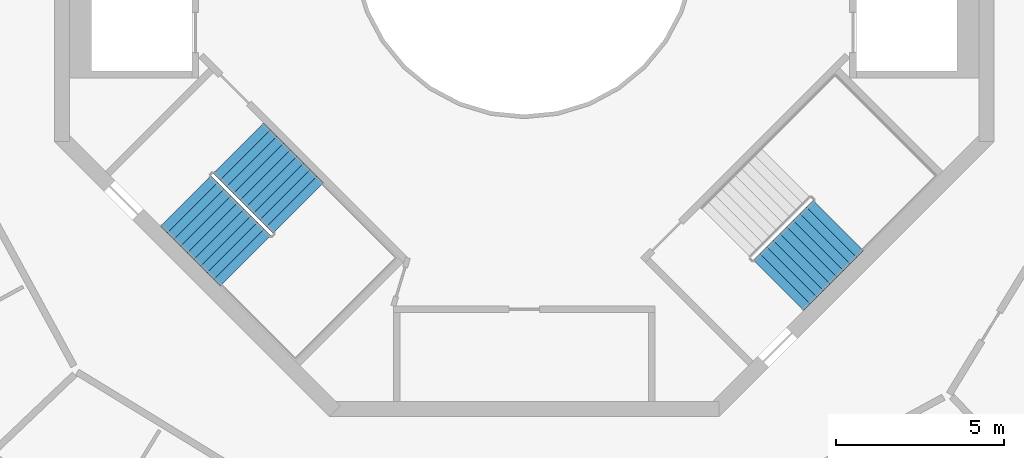
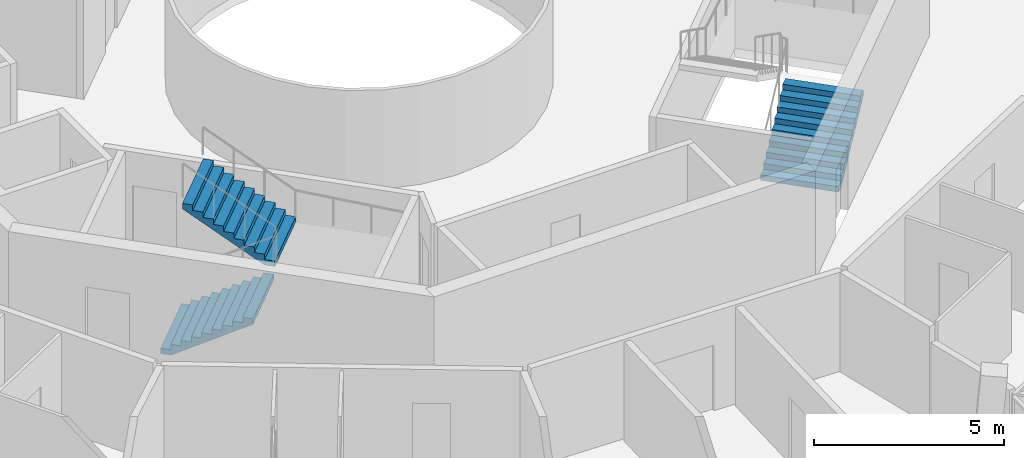
# One storey, part 22 of 24: 3 stair flights, 2 elements without a shape of their own.
"""IFC4 building model written with IfcOpenShell, lengths in metres."""

from ifc_helpers import new_model, si_unit, direction, frame, origin, place, context, subcontext, project, spatial, triangles, material, type_object, element, aggregate, save


model = new_model("IFC4")

# Units and contexts
model_context = context("Model", 3, precision=1e-05, world=origin(), true_north=direction((0.0, 1.0)))
body_context = subcontext(model_context, "Body", "Model", "MODEL_VIEW")
ifc_project = project(units=[si_unit("LENGTHUNIT", "METRE"), si_unit("AREAUNIT", "SQUARE_METRE"), si_unit("VOLUMEUNIT", "CUBIC_METRE"), si_unit("PLANEANGLEUNIT", "RADIAN"), si_unit("MASSUNIT", "GRAM", prefix="KILO")], contexts=[model_context])

# Site, building, storey
site_placement = place(None, origin())
site = spatial("IfcSite", under=ifc_project, at=site_placement, CompositionType="ELEMENT")
building_placement = place(site_placement, origin())
building = spatial("IfcBuilding", under=site, at=building_placement, Name="Verdalira Terraces Hotel", CompositionType="ELEMENT")
storey_placement = place(building_placement, frame((0.0, 0.0, 274.0)))
storey = spatial("IfcBuildingStorey", under=building, at=storey_placement, Name="L67", CompositionType="ELEMENT", Elevation=274.0)

# Stair, stair flights
ifc_material_1 = material(Name="Concrete C40", Category="concrete")
stair_type = type_object("IfcStairType", Name="Core stair 20 risers 2125 mm wide", PredefinedType="HALF_TURN_STAIR", material=ifc_material_1)
stair_1_placement = place(storey_placement, origin())
stair_1 = element("IfcStair", 1, at=stair_1_placement, inside=storey, type_object=stair_type, Name="L67 Exit stair ST2", PredefinedType="HALF_TURN_STAIR")
ifc_material_2 = material(Name="Concrete C40", Category="concrete")
stair_flight_type = type_object("IfcStairFlightType", Name="Core stair flight 20 risers 2125 mm wide", PredefinedType="STRAIGHT", material=ifc_material_2)
stair_flight_1_placement = place(storey_placement, frame((-10.085205, -7.574951, 0.0), z_axis=(0.0, 0.0, 1.0), x_axis=(0.707106781, -0.707106781, 0.0)))
stair_flight_1 = element("IfcStairFlight", 2, at=stair_flight_1_placement, type_object=stair_flight_type, Name="ST2 flight 1", NumberOfRisers=10, NumberOfTreads=9, PredefinedType="STRAIGHT", RiserHeight=0.175, TreadLength=0.28, context=body_context, shape_type="Tessellation", body=[
    triangles([(0.0, 1.0625, 0.0), (0.282715, 1.0625, 0.0), (2.52002, 1.0625, 1.398193), (0.0, -1.0625, 0.0), (0.282715, -1.0625, 0.0), (2.52002, -1.0625, 1.398193), (2.52002, 1.0625, 1.574951), (2.23999, 1.0625, 1.574951), (2.52002, -1.0625, 1.574951), (2.23999, -1.0625, 1.574951), (2.23999, 1.0625, 1.399902), (2.23999, -1.0625, 1.399902), (1.959961, 1.0625, 1.399902), (1.959961, -1.0625, 1.399902), (1.959961, 1.0625, 1.225098), (1.959961, -1.0625, 1.225098), (1.679932, 1.0625, 1.225098), (1.679932, 1.0625, 1.050049), (1.679932, -1.0625, 1.225098), (1.679932, -1.0625, 1.050049), (1.399902, 1.0625, 1.050049), (1.399902, 1.0625, 0.875), (1.399902, -1.0625, 1.050049), (1.399902, -1.0625, 0.875), (1.120117, 1.0625, 0.875), (1.120117, 1.0625, 0.699951), (1.120117, -1.0625, 0.875), (1.120117, -1.0625, 0.699951), (0.840088, 1.0625, 0.699951), (0.840088, 1.0625, 0.524902), (0.840088, -1.0625, 0.699951), (0.840088, -1.0625, 0.524902), (0.560059, 1.0625, 0.524902), (0.560059, 1.0625, 0.350098), (0.560059, -1.0625, 0.524902), (0.560059, -1.0625, 0.350098), (0.280029, 1.0625, 0.350098), (0.280029, 1.0625, 0.175049), (0.280029, -1.0625, 0.350098), (0.280029, -1.0625, 0.175049), (0.0, 1.0625, 0.175049), (0.0, -1.0625, 0.175049), (0.0, -0.996094, 0.0), (0.0, -0.996094, 0.175049), (0.0, -0.929688, 0.0), (0.0, -0.929688, 0.175049), (0.0, -0.863281, 0.0), (0.0, -0.863281, 0.175049), (0.0, -0.796875, 0.0), (0.0, -0.796875, 0.175049), (0.0, -0.730469, 0.0), (0.0, -0.730469, 0.175049), (0.0, -0.664062, 0.0), (0.0, -0.664062, 0.175049), (0.0, -0.597656, 0.0), (0.0, -0.597656, 0.175049), (0.0, -0.53125, 0.0), (0.0, -0.53125, 0.175049), (0.0, -0.464844, 0.0), (0.0, -0.464844, 0.175049), (0.0, -0.398438, 0.0), (0.0, -0.398438, 0.175049), (0.0, -0.332031, 0.0), (0.0, -0.332031, 0.175049), (0.0, -0.265625, 0.0), (0.0, -0.265625, 0.175049), (0.0, -0.199219, 0.0), (0.0, -0.199219, 0.175049), (0.0, -0.132812, 0.0), (0.0, -0.132812, 0.175049), (0.0, -0.066406, 0.0), (0.0, -0.066406, 0.175049), (0.0, 0.0, 0.0), (0.0, 0.0, 0.175049), (0.0, 0.066406, 0.0), (0.0, 0.066406, 0.175049), (0.0, 0.132812, 0.0), (0.0, 0.132812, 0.175049), (0.0, 0.199219, 0.0), (0.0, 0.199219, 0.175049), (0.0, 0.265625, 0.0), (0.0, 0.265625, 0.175049), (0.0, 0.332031, 0.0), (0.0, 0.332031, 0.175049), (0.0, 0.398438, 0.0), (0.0, 0.398438, 0.175049), (0.0, 0.464844, 0.0), (0.0, 0.464844, 0.175049), (0.0, 0.53125, 0.0), (0.0, 0.53125, 0.175049), (0.0, 0.597656, 0.0), (0.0, 0.597656, 0.175049), (0.0, 0.664062, 0.0), (0.0, 0.664062, 0.175049), (0.0, 0.730469, 0.0), (0.0, 0.730469, 0.175049), (0.0, 0.796875, 0.0), (0.0, 0.796875, 0.175049), (0.0, 0.863281, 0.0), (0.0, 0.863281, 0.175049), (0.0, 0.929688, 0.0), (0.0, 0.929688, 0.175049), (0.0, 0.996094, 0.0), (0.0, 0.996094, 0.175049), (2.52002, -0.996094, 1.574951), (2.52002, -0.929688, 1.574951), (2.52002, -0.863281, 1.574951), (2.52002, -0.796875, 1.574951), (2.52002, -0.730469, 1.574951), (2.52002, -0.664062, 1.574951), (2.52002, -0.597656, 1.574951), (2.52002, -0.53125, 1.574951), (2.52002, -0.464844, 1.574951), (2.52002, -0.398438, 1.574951), (2.52002, -0.332031, 1.574951), (2.52002, -0.265625, 1.574951), (2.52002, -0.199219, 1.574951), (2.52002, -0.132812, 1.574951), (2.52002, -0.066406, 1.574951), (2.52002, 0.0, 1.574951), (2.52002, 0.066406, 1.574951), (2.52002, 0.132812, 1.574951), (2.52002, 0.199219, 1.574951), (2.52002, 0.265625, 1.574951), (2.52002, 0.332031, 1.574951), (2.52002, 0.398438, 1.574951), (2.52002, 0.464844, 1.574951), (2.52002, 0.53125, 1.574951), (2.52002, 0.597656, 1.574951), (2.52002, 0.664062, 1.574951), (2.52002, 0.730469, 1.574951), (2.52002, 0.796875, 1.574951), (2.52002, 0.863281, 1.574951), (2.52002, 0.929688, 1.574951), (2.52002, 0.996094, 1.574951), (2.52002, -0.996094, 1.398193), (2.52002, -0.929688, 1.398193), (2.52002, -0.863281, 1.398193), (2.52002, -0.796875, 1.398193), (2.52002, -0.730469, 1.398193), (2.52002, -0.664062, 1.398193), (2.52002, -0.597656, 1.398193), (2.52002, -0.53125, 1.398193), (2.52002, -0.464844, 1.398193), (2.52002, -0.398438, 1.398193), (2.52002, -0.332031, 1.398193), (2.52002, -0.265625, 1.398193), (2.52002, -0.199219, 1.398193), (2.52002, -0.132812, 1.398193), (2.52002, -0.066406, 1.398193), (2.52002, 0.0, 1.398193), (2.52002, 0.066406, 1.398193), (2.52002, 0.132812, 1.398193), (2.52002, 0.199219, 1.398193), (2.52002, 0.265625, 1.398193), (2.52002, 0.332031, 1.398193), (2.52002, 0.398438, 1.398193), (2.52002, 0.464844, 1.398193), (2.52002, 0.53125, 1.398193), (2.52002, 0.597656, 1.398193), (2.52002, 0.664062, 1.398193), (2.52002, 0.730469, 1.398193), (2.52002, 0.796875, 1.398193), (2.52002, 0.863281, 1.398193), (2.52002, 0.929688, 1.398193), (2.52002, 0.996094, 1.398193)], [[1, 3, 2], [4, 5, 6], [3, 8, 7], [6, 9, 10], [3, 11, 8], [6, 10, 12], [3, 13, 11], [6, 12, 14], [3, 15, 13], [6, 14, 16], [15, 18, 17], [16, 19, 20], [3, 18, 15], [6, 16, 20], [18, 22, 21], [20, 23, 24], [3, 22, 18], [6, 20, 24], [22, 26, 25], [24, 27, 28], [3, 26, 22], [6, 24, 28], [26, 30, 29], [28, 31, 32], [3, 30, 26], [6, 28, 32], [1, 30, 3], [4, 6, 32], [30, 34, 33], [32, 35, 36], [34, 38, 37], [36, 39, 40], [30, 38, 34], [32, 36, 40], [1, 38, 30], [4, 32, 40], [38, 1, 41], [40, 42, 4], [4, 44, 43], [4, 42, 44], [43, 46, 45], [43, 44, 46], [45, 48, 47], [45, 46, 48], [47, 50, 49], [47, 48, 50], [49, 52, 51], [49, 50, 52], [51, 54, 53], [51, 52, 54], [53, 56, 55], [53, 54, 56], [55, 58, 57], [55, 56, 58], [57, 60, 59], [57, 58, 60], [59, 62, 61], [59, 60, 62], [61, 64, 63], [61, 62, 64], [63, 66, 65], [63, 64, 66], [65, 68, 67], [65, 66, 68], [67, 70, 69], [67, 68, 70], [69, 72, 71], [69, 70, 72], [71, 74, 73], [71, 72, 74], [73, 76, 75], [73, 74, 76], [75, 78, 77], [75, 76, 78], [77, 80, 79], [77, 78, 80], [79, 82, 81], [79, 80, 82], [81, 84, 83], [81, 82, 84], [83, 86, 85], [83, 84, 86], [85, 88, 87], [85, 86, 88], [87, 90, 89], [87, 88, 90], [89, 92, 91], [89, 90, 92], [91, 94, 93], [91, 92, 94], [93, 96, 95], [93, 94, 96], [95, 98, 97], [95, 96, 98], [97, 100, 99], [97, 98, 100], [99, 102, 101], [99, 100, 102], [101, 104, 103], [101, 102, 104], [103, 41, 1], [103, 104, 41], [42, 40, 44], [44, 40, 46], [46, 40, 48], [48, 40, 50], [50, 40, 52], [52, 40, 54], [54, 40, 56], [56, 40, 58], [58, 40, 60], [60, 40, 62], [62, 40, 64], [64, 40, 66], [66, 40, 68], [68, 40, 70], [70, 40, 72], [72, 40, 74], [74, 40, 76], [76, 40, 78], [78, 40, 80], [80, 40, 82], [82, 40, 84], [84, 40, 86], [86, 40, 88], [88, 40, 90], [90, 40, 92], [92, 40, 94], [94, 40, 96], [96, 40, 98], [98, 40, 100], [100, 40, 102], [102, 40, 104], [104, 40, 41], [41, 40, 38], [40, 37, 38], [40, 39, 37], [39, 34, 37], [39, 36, 34], [36, 33, 34], [36, 35, 33], [35, 30, 33], [35, 32, 30], [32, 29, 30], [32, 31, 29], [31, 26, 29], [31, 28, 26], [28, 25, 26], [28, 27, 25], [27, 22, 25], [27, 24, 22], [24, 21, 22], [24, 23, 21], [23, 18, 21], [23, 20, 18], [20, 17, 18], [20, 19, 17], [19, 15, 17], [19, 16, 15], [16, 13, 15], [16, 14, 13], [14, 11, 13], [14, 12, 11], [12, 8, 11], [12, 10, 8], [9, 105, 10], [105, 106, 10], [106, 107, 10], [107, 108, 10], [108, 109, 10], [109, 110, 10], [110, 111, 10], [111, 112, 10], [112, 113, 10], [113, 114, 10], [114, 115, 10], [115, 116, 10], [116, 117, 10], [117, 118, 10], [118, 119, 10], [119, 120, 10], [120, 121, 10], [121, 122, 10], [122, 123, 10], [123, 124, 10], [124, 125, 10], [125, 126, 10], [126, 127, 10], [127, 128, 10], [128, 129, 10], [129, 130, 10], [130, 131, 10], [131, 132, 10], [132, 133, 10], [133, 134, 10], [134, 135, 10], [135, 7, 10], [7, 8, 10], [9, 136, 105], [9, 6, 136], [105, 137, 106], [105, 136, 137], [106, 138, 107], [106, 137, 138], [107, 139, 108], [107, 138, 139], [108, 140, 109], [108, 139, 140], [109, 141, 110], [109, 140, 141], [110, 142, 111], [110, 141, 142], [111, 143, 112], [111, 142, 143], [112, 144, 113], [112, 143, 144], [113, 145, 114], [113, 144, 145], [114, 146, 115], [114, 145, 146], [115, 147, 116], [115, 146, 147], [116, 148, 117], [116, 147, 148], [117, 149, 118], [117, 148, 149], [118, 150, 119], [118, 149, 150], [119, 151, 120], [119, 150, 151], [120, 152, 121], [120, 151, 152], [121, 153, 122], [121, 152, 153], [122, 154, 123], [122, 153, 154], [123, 155, 124], [123, 154, 155], [124, 156, 125], [124, 155, 156], [125, 157, 126], [125, 156, 157], [126, 158, 127], [126, 157, 158], [127, 159, 128], [127, 158, 159], [128, 160, 129], [128, 159, 160], [129, 161, 130], [129, 160, 161], [130, 162, 131], [130, 161, 162], [131, 163, 132], [131, 162, 163], [132, 164, 133], [132, 163, 164], [133, 165, 134], [133, 164, 165], [134, 166, 135], [134, 165, 166], [135, 3, 7], [135, 166, 3], [6, 5, 136], [136, 5, 137], [137, 5, 138], [138, 5, 139], [139, 5, 140], [140, 5, 141], [141, 5, 142], [142, 5, 143], [143, 5, 144], [144, 5, 145], [145, 5, 146], [146, 5, 147], [147, 5, 148], [148, 5, 149], [149, 5, 150], [150, 5, 151], [151, 5, 152], [152, 5, 153], [153, 5, 154], [154, 5, 155], [155, 5, 156], [156, 5, 157], [157, 5, 158], [158, 5, 159], [159, 5, 160], [160, 5, 161], [161, 5, 162], [162, 5, 163], [163, 5, 164], [164, 5, 165], [165, 5, 166], [166, 5, 3], [3, 5, 2], [4, 43, 5], [43, 45, 5], [45, 47, 5], [47, 49, 5], [49, 51, 5], [51, 53, 5], [53, 55, 5], [55, 57, 5], [57, 59, 5], [59, 61, 5], [61, 63, 5], [63, 65, 5], [65, 67, 5], [67, 69, 5], [69, 71, 5], [71, 73, 5], [73, 75, 5], [75, 77, 5], [77, 79, 5], [79, 81, 5], [81, 83, 5], [83, 85, 5], [85, 87, 5], [87, 89, 5], [89, 91, 5], [91, 93, 5], [93, 95, 5], [95, 97, 5], [97, 99, 5], [99, 101, 5], [101, 103, 5], [103, 1, 5], [1, 2, 5]], closed=True),
])
stair_flight_2_placement = place(storey_placement, frame((-6.72998, -7.783447, 1.75), z_axis=(0.0, 0.0, 1.0), x_axis=(-0.707106781, 0.707106781, 0.0)))
stair_flight_2 = element("IfcStairFlight", 3, at=stair_flight_2_placement, type_object=stair_flight_type, Name="ST2 flight 2", NumberOfRisers=10, NumberOfTreads=9, PredefinedType="STRAIGHT", RiserHeight=0.175, TreadLength=0.28, context=body_context, shape_type="Tessellation", body=[
    triangles([(0.0, 1.0625, 0.0), (0.282715, 1.0625, 0.0), (2.52002, 1.0625, 1.398193), (0.0, -1.0625, 0.0), (0.282715, -1.0625, 0.0), (2.52002, -1.0625, 1.398193), (2.52002, 1.0625, 1.574951), (2.23999, 1.0625, 1.574951), (2.52002, -1.0625, 1.574951), (2.23999, -1.0625, 1.574951), (2.23999, 1.0625, 1.399902), (2.23999, -1.0625, 1.399902), (1.959961, 1.0625, 1.399902), (1.959961, -1.0625, 1.399902), (1.959961, 1.0625, 1.225098), (1.959961, -1.0625, 1.225098), (1.679932, 1.0625, 1.225098), (1.679932, 1.0625, 1.050049), (1.679932, -1.0625, 1.225098), (1.679932, -1.0625, 1.050049), (1.399902, 1.0625, 1.050049), (1.399902, 1.0625, 0.875), (1.399902, -1.0625, 1.050049), (1.399902, -1.0625, 0.875), (1.120117, 1.0625, 0.875), (1.120117, 1.0625, 0.699951), (1.120117, -1.0625, 0.875), (1.120117, -1.0625, 0.699951), (0.840088, 1.0625, 0.699951), (0.840088, 1.0625, 0.524902), (0.840088, -1.0625, 0.699951), (0.840088, -1.0625, 0.524902), (0.560059, 1.0625, 0.524902), (0.560059, 1.0625, 0.350098), (0.560059, -1.0625, 0.524902), (0.560059, -1.0625, 0.350098), (0.280029, 1.0625, 0.350098), (0.280029, 1.0625, 0.175049), (0.280029, -1.0625, 0.350098), (0.280029, -1.0625, 0.175049), (0.0, 1.0625, 0.175049), (0.0, -1.0625, 0.175049), (0.0, -0.996094, 0.0), (0.0, -0.996094, 0.175049), (0.0, -0.929688, 0.0), (0.0, -0.929688, 0.175049), (0.0, -0.863281, 0.0), (0.0, -0.863281, 0.175049), (0.0, -0.796875, 0.0), (0.0, -0.796875, 0.175049), (0.0, -0.730469, 0.0), (0.0, -0.730469, 0.175049), (0.0, -0.664062, 0.0), (0.0, -0.664062, 0.175049), (0.0, -0.597656, 0.0), (0.0, -0.597656, 0.175049), (0.0, -0.53125, 0.0), (0.0, -0.53125, 0.175049), (0.0, -0.464844, 0.0), (0.0, -0.464844, 0.175049), (0.0, -0.398438, 0.0), (0.0, -0.398438, 0.175049), (0.0, -0.332031, 0.0), (0.0, -0.332031, 0.175049), (0.0, -0.265625, 0.0), (0.0, -0.265625, 0.175049), (0.0, -0.199219, 0.0), (0.0, -0.199219, 0.175049), (0.0, -0.132812, 0.0), (0.0, -0.132812, 0.175049), (0.0, -0.066406, 0.0), (0.0, -0.066406, 0.175049), (0.0, 0.0, 0.0), (0.0, 0.0, 0.175049), (0.0, 0.066406, 0.0), (0.0, 0.066406, 0.175049), (0.0, 0.132812, 0.0), (0.0, 0.132812, 0.175049), (0.0, 0.199219, 0.0), (0.0, 0.199219, 0.175049), (0.0, 0.265625, 0.0), (0.0, 0.265625, 0.175049), (0.0, 0.332031, 0.0), (0.0, 0.332031, 0.175049), (0.0, 0.398438, 0.0), (0.0, 0.398438, 0.175049), (0.0, 0.464844, 0.0), (0.0, 0.464844, 0.175049), (0.0, 0.53125, 0.0), (0.0, 0.53125, 0.175049), (0.0, 0.597656, 0.0), (0.0, 0.597656, 0.175049), (0.0, 0.664062, 0.0), (0.0, 0.664062, 0.175049), (0.0, 0.730469, 0.0), (0.0, 0.730469, 0.175049), (0.0, 0.796875, 0.0), (0.0, 0.796875, 0.175049), (0.0, 0.863281, 0.0), (0.0, 0.863281, 0.175049), (0.0, 0.929688, 0.0), (0.0, 0.929688, 0.175049), (0.0, 0.996094, 0.0), (0.0, 0.996094, 0.175049), (2.52002, -0.996094, 1.574951), (2.52002, -0.929688, 1.574951), (2.52002, -0.863281, 1.574951), (2.52002, -0.796875, 1.574951), (2.52002, -0.730469, 1.574951), (2.52002, -0.664062, 1.574951), (2.52002, -0.597656, 1.574951), (2.52002, -0.53125, 1.574951), (2.52002, -0.464844, 1.574951), (2.52002, -0.398438, 1.574951), (2.52002, -0.332031, 1.574951), (2.52002, -0.265625, 1.574951), (2.52002, -0.199219, 1.574951), (2.52002, -0.132812, 1.574951), (2.52002, -0.066406, 1.574951), (2.52002, 0.0, 1.574951), (2.52002, 0.066406, 1.574951), (2.52002, 0.132812, 1.574951), (2.52002, 0.199219, 1.574951), (2.52002, 0.265625, 1.574951), (2.52002, 0.332031, 1.574951), (2.52002, 0.398438, 1.574951), (2.52002, 0.464844, 1.574951), (2.52002, 0.53125, 1.574951), (2.52002, 0.597656, 1.574951), (2.52002, 0.664062, 1.574951), (2.52002, 0.730469, 1.574951), (2.52002, 0.796875, 1.574951), (2.52002, 0.863281, 1.574951), (2.52002, 0.929688, 1.574951), (2.52002, 0.996094, 1.574951), (2.52002, -0.996094, 1.398193), (2.52002, -0.929688, 1.398193), (2.52002, -0.863281, 1.398193), (2.52002, -0.796875, 1.398193), (2.52002, -0.730469, 1.398193), (2.52002, -0.664062, 1.398193), (2.52002, -0.597656, 1.398193), (2.52002, -0.53125, 1.398193), (2.52002, -0.464844, 1.398193), (2.52002, -0.398438, 1.398193), (2.52002, -0.332031, 1.398193), (2.52002, -0.265625, 1.398193), (2.52002, -0.199219, 1.398193), (2.52002, -0.132812, 1.398193), (2.52002, -0.066406, 1.398193), (2.52002, 0.0, 1.398193), (2.52002, 0.066406, 1.398193), (2.52002, 0.132812, 1.398193), (2.52002, 0.199219, 1.398193), (2.52002, 0.265625, 1.398193), (2.52002, 0.332031, 1.398193), (2.52002, 0.398438, 1.398193), (2.52002, 0.464844, 1.398193), (2.52002, 0.53125, 1.398193), (2.52002, 0.597656, 1.398193), (2.52002, 0.664062, 1.398193), (2.52002, 0.730469, 1.398193), (2.52002, 0.796875, 1.398193), (2.52002, 0.863281, 1.398193), (2.52002, 0.929688, 1.398193), (2.52002, 0.996094, 1.398193)], [[1, 3, 2], [4, 5, 6], [3, 8, 7], [6, 9, 10], [3, 11, 8], [6, 10, 12], [3, 13, 11], [6, 12, 14], [3, 15, 13], [6, 14, 16], [15, 18, 17], [16, 19, 20], [3, 18, 15], [6, 16, 20], [18, 22, 21], [20, 23, 24], [3, 22, 18], [6, 20, 24], [22, 26, 25], [24, 27, 28], [3, 26, 22], [6, 24, 28], [26, 30, 29], [28, 31, 32], [3, 30, 26], [6, 28, 32], [1, 30, 3], [4, 6, 32], [30, 34, 33], [32, 35, 36], [34, 38, 37], [36, 39, 40], [30, 38, 34], [32, 36, 40], [1, 38, 30], [4, 32, 40], [38, 1, 41], [40, 42, 4], [4, 44, 43], [4, 42, 44], [43, 46, 45], [43, 44, 46], [45, 48, 47], [45, 46, 48], [47, 50, 49], [47, 48, 50], [49, 52, 51], [49, 50, 52], [51, 54, 53], [51, 52, 54], [53, 56, 55], [53, 54, 56], [55, 58, 57], [55, 56, 58], [57, 60, 59], [57, 58, 60], [59, 62, 61], [59, 60, 62], [61, 64, 63], [61, 62, 64], [63, 66, 65], [63, 64, 66], [65, 68, 67], [65, 66, 68], [67, 70, 69], [67, 68, 70], [69, 72, 71], [69, 70, 72], [71, 74, 73], [71, 72, 74], [73, 76, 75], [73, 74, 76], [75, 78, 77], [75, 76, 78], [77, 80, 79], [77, 78, 80], [79, 82, 81], [79, 80, 82], [81, 84, 83], [81, 82, 84], [83, 86, 85], [83, 84, 86], [85, 88, 87], [85, 86, 88], [87, 90, 89], [87, 88, 90], [89, 92, 91], [89, 90, 92], [91, 94, 93], [91, 92, 94], [93, 96, 95], [93, 94, 96], [95, 98, 97], [95, 96, 98], [97, 100, 99], [97, 98, 100], [99, 102, 101], [99, 100, 102], [101, 104, 103], [101, 102, 104], [103, 41, 1], [103, 104, 41], [42, 40, 44], [44, 40, 46], [46, 40, 48], [48, 40, 50], [50, 40, 52], [52, 40, 54], [54, 40, 56], [56, 40, 58], [58, 40, 60], [60, 40, 62], [62, 40, 64], [64, 40, 66], [66, 40, 68], [68, 40, 70], [70, 40, 72], [72, 40, 74], [74, 40, 76], [76, 40, 78], [78, 40, 80], [80, 40, 82], [82, 40, 84], [84, 40, 86], [86, 40, 88], [88, 40, 90], [90, 40, 92], [92, 40, 94], [94, 40, 96], [96, 40, 98], [98, 40, 100], [100, 40, 102], [102, 40, 104], [104, 40, 41], [41, 40, 38], [40, 37, 38], [40, 39, 37], [39, 34, 37], [39, 36, 34], [36, 33, 34], [36, 35, 33], [35, 30, 33], [35, 32, 30], [32, 29, 30], [32, 31, 29], [31, 26, 29], [31, 28, 26], [28, 25, 26], [28, 27, 25], [27, 22, 25], [27, 24, 22], [24, 21, 22], [24, 23, 21], [23, 18, 21], [23, 20, 18], [20, 17, 18], [20, 19, 17], [19, 15, 17], [19, 16, 15], [16, 13, 15], [16, 14, 13], [14, 11, 13], [14, 12, 11], [12, 8, 11], [12, 10, 8], [9, 105, 10], [105, 106, 10], [106, 107, 10], [107, 108, 10], [108, 109, 10], [109, 110, 10], [110, 111, 10], [111, 112, 10], [112, 113, 10], [113, 114, 10], [114, 115, 10], [115, 116, 10], [116, 117, 10], [117, 118, 10], [118, 119, 10], [119, 120, 10], [120, 121, 10], [121, 122, 10], [122, 123, 10], [123, 124, 10], [124, 125, 10], [125, 126, 10], [126, 127, 10], [127, 128, 10], [128, 129, 10], [129, 130, 10], [130, 131, 10], [131, 132, 10], [132, 133, 10], [133, 134, 10], [134, 135, 10], [135, 7, 10], [7, 8, 10], [9, 136, 105], [9, 6, 136], [105, 137, 106], [105, 136, 137], [106, 138, 107], [106, 137, 138], [107, 139, 108], [107, 138, 139], [108, 140, 109], [108, 139, 140], [109, 141, 110], [109, 140, 141], [110, 142, 111], [110, 141, 142], [111, 143, 112], [111, 142, 143], [112, 144, 113], [112, 143, 144], [113, 145, 114], [113, 144, 145], [114, 146, 115], [114, 145, 146], [115, 147, 116], [115, 146, 147], [116, 148, 117], [116, 147, 148], [117, 149, 118], [117, 148, 149], [118, 150, 119], [118, 149, 150], [119, 151, 120], [119, 150, 151], [120, 152, 121], [120, 151, 152], [121, 153, 122], [121, 152, 153], [122, 154, 123], [122, 153, 154], [123, 155, 124], [123, 154, 155], [124, 156, 125], [124, 155, 156], [125, 157, 126], [125, 156, 157], [126, 158, 127], [126, 157, 158], [127, 159, 128], [127, 158, 159], [128, 160, 129], [128, 159, 160], [129, 161, 130], [129, 160, 161], [130, 162, 131], [130, 161, 162], [131, 163, 132], [131, 162, 163], [132, 164, 133], [132, 163, 164], [133, 165, 134], [133, 164, 165], [134, 166, 135], [134, 165, 166], [135, 3, 7], [135, 166, 3], [6, 5, 136], [136, 5, 137], [137, 5, 138], [138, 5, 139], [139, 5, 140], [140, 5, 141], [141, 5, 142], [142, 5, 143], [143, 5, 144], [144, 5, 145], [145, 5, 146], [146, 5, 147], [147, 5, 148], [148, 5, 149], [149, 5, 150], [150, 5, 151], [151, 5, 152], [152, 5, 153], [153, 5, 154], [154, 5, 155], [155, 5, 156], [156, 5, 157], [157, 5, 158], [158, 5, 159], [159, 5, 160], [160, 5, 161], [161, 5, 162], [162, 5, 163], [163, 5, 164], [164, 5, 165], [165, 5, 166], [166, 5, 3], [3, 5, 2], [4, 43, 5], [43, 45, 5], [45, 47, 5], [47, 49, 5], [49, 51, 5], [51, 53, 5], [53, 55, 5], [55, 57, 5], [57, 59, 5], [59, 61, 5], [61, 63, 5], [63, 65, 5], [65, 67, 5], [67, 69, 5], [69, 71, 5], [71, 73, 5], [73, 75, 5], [75, 77, 5], [77, 79, 5], [79, 81, 5], [81, 83, 5], [83, 85, 5], [85, 87, 5], [87, 89, 5], [89, 91, 5], [91, 93, 5], [93, 95, 5], [95, 97, 5], [97, 99, 5], [99, 101, 5], [101, 103, 5], [103, 1, 5], [1, 2, 5]], closed=True),
])
aggregate(stair_1, [stair_flight_1, stair_flight_2])

# Stair, stair flight
stair_2_placement = place(storey_placement, origin())
stair_2 = element("IfcStair", 4, at=stair_2_placement, inside=storey, type_object=stair_type, Name="L67 Exit stair ST3", PredefinedType="HALF_TURN_STAIR")
stair_flight_3_placement = place(storey_placement, frame((7.574951, -10.085205, 0.0), z_axis=(0.0, 0.0, 1.0), x_axis=(0.707106781, 0.707106781, 0.0)))
stair_flight_3 = element("IfcStairFlight", 5, at=stair_flight_3_placement, type_object=stair_flight_type, Name="ST3 flight 1", NumberOfRisers=10, NumberOfTreads=9, PredefinedType="STRAIGHT", RiserHeight=0.175, TreadLength=0.28, context=body_context, shape_type="Tessellation", body=[
    triangles([(0.0, 1.0625, 0.0), (0.282715, 1.0625, 0.0), (2.52002, 1.0625, 1.398193), (0.0, -1.0625, 0.0), (0.282715, -1.0625, 0.0), (2.52002, -1.0625, 1.398193), (2.52002, 1.0625, 1.574951), (2.23999, 1.0625, 1.574951), (2.52002, -1.0625, 1.574951), (2.23999, -1.0625, 1.574951), (2.23999, 1.0625, 1.399902), (2.23999, -1.0625, 1.399902), (1.959961, 1.0625, 1.399902), (1.959961, -1.0625, 1.399902), (1.959961, 1.0625, 1.225098), (1.959961, -1.0625, 1.225098), (1.679932, 1.0625, 1.225098), (1.679932, 1.0625, 1.050049), (1.679932, -1.0625, 1.225098), (1.679932, -1.0625, 1.050049), (1.399902, 1.0625, 1.050049), (1.399902, 1.0625, 0.875), (1.399902, -1.0625, 1.050049), (1.399902, -1.0625, 0.875), (1.120117, 1.0625, 0.875), (1.120117, 1.0625, 0.699951), (1.120117, -1.0625, 0.875), (1.120117, -1.0625, 0.699951), (0.840088, 1.0625, 0.699951), (0.840088, 1.0625, 0.524902), (0.840088, -1.0625, 0.699951), (0.840088, -1.0625, 0.524902), (0.560059, 1.0625, 0.524902), (0.560059, 1.0625, 0.350098), (0.560059, -1.0625, 0.524902), (0.560059, -1.0625, 0.350098), (0.280029, 1.0625, 0.350098), (0.280029, 1.0625, 0.175049), (0.280029, -1.0625, 0.350098), (0.280029, -1.0625, 0.175049), (0.0, 1.0625, 0.175049), (0.0, -1.0625, 0.175049), (0.0, -0.996094, 0.0), (0.0, -0.996094, 0.175049), (0.0, -0.929688, 0.0), (0.0, -0.929688, 0.175049), (0.0, -0.863281, 0.0), (0.0, -0.863281, 0.175049), (0.0, -0.796875, 0.0), (0.0, -0.796875, 0.175049), (0.0, -0.730469, 0.0), (0.0, -0.730469, 0.175049), (0.0, -0.664062, 0.0), (0.0, -0.664062, 0.175049), (0.0, -0.597656, 0.0), (0.0, -0.597656, 0.175049), (0.0, -0.53125, 0.0), (0.0, -0.53125, 0.175049), (0.0, -0.464844, 0.0), (0.0, -0.464844, 0.175049), (0.0, -0.398438, 0.0), (0.0, -0.398438, 0.175049), (0.0, -0.332031, 0.0), (0.0, -0.332031, 0.175049), (0.0, -0.265625, 0.0), (0.0, -0.265625, 0.175049), (0.0, -0.199219, 0.0), (0.0, -0.199219, 0.175049), (0.0, -0.132812, 0.0), (0.0, -0.132812, 0.175049), (0.0, -0.066406, 0.0), (0.0, -0.066406, 0.175049), (0.0, 0.0, 0.0), (0.0, 0.0, 0.175049), (0.0, 0.066406, 0.0), (0.0, 0.066406, 0.175049), (0.0, 0.132812, 0.0), (0.0, 0.132812, 0.175049), (0.0, 0.199219, 0.0), (0.0, 0.199219, 0.175049), (0.0, 0.265625, 0.0), (0.0, 0.265625, 0.175049), (0.0, 0.332031, 0.0), (0.0, 0.332031, 0.175049), (0.0, 0.398438, 0.0), (0.0, 0.398438, 0.175049), (0.0, 0.464844, 0.0), (0.0, 0.464844, 0.175049), (0.0, 0.53125, 0.0), (0.0, 0.53125, 0.175049), (0.0, 0.597656, 0.0), (0.0, 0.597656, 0.175049), (0.0, 0.664062, 0.0), (0.0, 0.664062, 0.175049), (0.0, 0.730469, 0.0), (0.0, 0.730469, 0.175049), (0.0, 0.796875, 0.0), (0.0, 0.796875, 0.175049), (0.0, 0.863281, 0.0), (0.0, 0.863281, 0.175049), (0.0, 0.929688, 0.0), (0.0, 0.929688, 0.175049), (0.0, 0.996094, 0.0), (0.0, 0.996094, 0.175049), (2.52002, -0.996094, 1.574951), (2.52002, -0.929688, 1.574951), (2.52002, -0.863281, 1.574951), (2.52002, -0.796875, 1.574951), (2.52002, -0.730469, 1.574951), (2.52002, -0.664062, 1.574951), (2.52002, -0.597656, 1.574951), (2.52002, -0.53125, 1.574951), (2.52002, -0.464844, 1.574951), (2.52002, -0.398438, 1.574951), (2.52002, -0.332031, 1.574951), (2.52002, -0.265625, 1.574951), (2.52002, -0.199219, 1.574951), (2.52002, -0.132812, 1.574951), (2.52002, -0.066406, 1.574951), (2.52002, 0.0, 1.574951), (2.52002, 0.066406, 1.574951), (2.52002, 0.132812, 1.574951), (2.52002, 0.199219, 1.574951), (2.52002, 0.265625, 1.574951), (2.52002, 0.332031, 1.574951), (2.52002, 0.398438, 1.574951), (2.52002, 0.464844, 1.574951), (2.52002, 0.53125, 1.574951), (2.52002, 0.597656, 1.574951), (2.52002, 0.664062, 1.574951), (2.52002, 0.730469, 1.574951), (2.52002, 0.796875, 1.574951), (2.52002, 0.863281, 1.574951), (2.52002, 0.929688, 1.574951), (2.52002, 0.996094, 1.574951), (2.52002, -0.996094, 1.398193), (2.52002, -0.929688, 1.398193), (2.52002, -0.863281, 1.398193), (2.52002, -0.796875, 1.398193), (2.52002, -0.730469, 1.398193), (2.52002, -0.664062, 1.398193), (2.52002, -0.597656, 1.398193), (2.52002, -0.53125, 1.398193), (2.52002, -0.464844, 1.398193), (2.52002, -0.398438, 1.398193), (2.52002, -0.332031, 1.398193), (2.52002, -0.265625, 1.398193), (2.52002, -0.199219, 1.398193), (2.52002, -0.132812, 1.398193), (2.52002, -0.066406, 1.398193), (2.52002, 0.0, 1.398193), (2.52002, 0.066406, 1.398193), (2.52002, 0.132812, 1.398193), (2.52002, 0.199219, 1.398193), (2.52002, 0.265625, 1.398193), (2.52002, 0.332031, 1.398193), (2.52002, 0.398438, 1.398193), (2.52002, 0.464844, 1.398193), (2.52002, 0.53125, 1.398193), (2.52002, 0.597656, 1.398193), (2.52002, 0.664062, 1.398193), (2.52002, 0.730469, 1.398193), (2.52002, 0.796875, 1.398193), (2.52002, 0.863281, 1.398193), (2.52002, 0.929688, 1.398193), (2.52002, 0.996094, 1.398193)], [[1, 3, 2], [4, 5, 6], [3, 8, 7], [6, 9, 10], [3, 11, 8], [6, 10, 12], [3, 13, 11], [6, 12, 14], [3, 15, 13], [6, 14, 16], [15, 18, 17], [16, 19, 20], [3, 18, 15], [6, 16, 20], [18, 22, 21], [20, 23, 24], [3, 22, 18], [6, 20, 24], [22, 26, 25], [24, 27, 28], [3, 26, 22], [6, 24, 28], [26, 30, 29], [28, 31, 32], [3, 30, 26], [6, 28, 32], [1, 30, 3], [4, 6, 32], [30, 34, 33], [32, 35, 36], [34, 38, 37], [36, 39, 40], [30, 38, 34], [32, 36, 40], [1, 38, 30], [4, 32, 40], [38, 1, 41], [40, 42, 4], [4, 44, 43], [4, 42, 44], [43, 46, 45], [43, 44, 46], [45, 48, 47], [45, 46, 48], [47, 50, 49], [47, 48, 50], [49, 52, 51], [49, 50, 52], [51, 54, 53], [51, 52, 54], [53, 56, 55], [53, 54, 56], [55, 58, 57], [55, 56, 58], [57, 60, 59], [57, 58, 60], [59, 62, 61], [59, 60, 62], [61, 64, 63], [61, 62, 64], [63, 66, 65], [63, 64, 66], [65, 68, 67], [65, 66, 68], [67, 70, 69], [67, 68, 70], [69, 72, 71], [69, 70, 72], [71, 74, 73], [71, 72, 74], [73, 76, 75], [73, 74, 76], [75, 78, 77], [75, 76, 78], [77, 80, 79], [77, 78, 80], [79, 82, 81], [79, 80, 82], [81, 84, 83], [81, 82, 84], [83, 86, 85], [83, 84, 86], [85, 88, 87], [85, 86, 88], [87, 90, 89], [87, 88, 90], [89, 92, 91], [89, 90, 92], [91, 94, 93], [91, 92, 94], [93, 96, 95], [93, 94, 96], [95, 98, 97], [95, 96, 98], [97, 100, 99], [97, 98, 100], [99, 102, 101], [99, 100, 102], [101, 104, 103], [101, 102, 104], [103, 41, 1], [103, 104, 41], [42, 40, 44], [44, 40, 46], [46, 40, 48], [48, 40, 50], [50, 40, 52], [52, 40, 54], [54, 40, 56], [56, 40, 58], [58, 40, 60], [60, 40, 62], [62, 40, 64], [64, 40, 66], [66, 40, 68], [68, 40, 70], [70, 40, 72], [72, 40, 74], [74, 40, 76], [76, 40, 78], [78, 40, 80], [80, 40, 82], [82, 40, 84], [84, 40, 86], [86, 40, 88], [88, 40, 90], [90, 40, 92], [92, 40, 94], [94, 40, 96], [96, 40, 98], [98, 40, 100], [100, 40, 102], [102, 40, 104], [104, 40, 41], [41, 40, 38], [40, 37, 38], [40, 39, 37], [39, 34, 37], [39, 36, 34], [36, 33, 34], [36, 35, 33], [35, 30, 33], [35, 32, 30], [32, 29, 30], [32, 31, 29], [31, 26, 29], [31, 28, 26], [28, 25, 26], [28, 27, 25], [27, 22, 25], [27, 24, 22], [24, 21, 22], [24, 23, 21], [23, 18, 21], [23, 20, 18], [20, 17, 18], [20, 19, 17], [19, 15, 17], [19, 16, 15], [16, 13, 15], [16, 14, 13], [14, 11, 13], [14, 12, 11], [12, 8, 11], [12, 10, 8], [9, 105, 10], [105, 106, 10], [106, 107, 10], [107, 108, 10], [108, 109, 10], [109, 110, 10], [110, 111, 10], [111, 112, 10], [112, 113, 10], [113, 114, 10], [114, 115, 10], [115, 116, 10], [116, 117, 10], [117, 118, 10], [118, 119, 10], [119, 120, 10], [120, 121, 10], [121, 122, 10], [122, 123, 10], [123, 124, 10], [124, 125, 10], [125, 126, 10], [126, 127, 10], [127, 128, 10], [128, 129, 10], [129, 130, 10], [130, 131, 10], [131, 132, 10], [132, 133, 10], [133, 134, 10], [134, 135, 10], [135, 7, 10], [7, 8, 10], [9, 136, 105], [9, 6, 136], [105, 137, 106], [105, 136, 137], [106, 138, 107], [106, 137, 138], [107, 139, 108], [107, 138, 139], [108, 140, 109], [108, 139, 140], [109, 141, 110], [109, 140, 141], [110, 142, 111], [110, 141, 142], [111, 143, 112], [111, 142, 143], [112, 144, 113], [112, 143, 144], [113, 145, 114], [113, 144, 145], [114, 146, 115], [114, 145, 146], [115, 147, 116], [115, 146, 147], [116, 148, 117], [116, 147, 148], [117, 149, 118], [117, 148, 149], [118, 150, 119], [118, 149, 150], [119, 151, 120], [119, 150, 151], [120, 152, 121], [120, 151, 152], [121, 153, 122], [121, 152, 153], [122, 154, 123], [122, 153, 154], [123, 155, 124], [123, 154, 155], [124, 156, 125], [124, 155, 156], [125, 157, 126], [125, 156, 157], [126, 158, 127], [126, 157, 158], [127, 159, 128], [127, 158, 159], [128, 160, 129], [128, 159, 160], [129, 161, 130], [129, 160, 161], [130, 162, 131], [130, 161, 162], [131, 163, 132], [131, 162, 163], [132, 164, 133], [132, 163, 164], [133, 165, 134], [133, 164, 165], [134, 166, 135], [134, 165, 166], [135, 3, 7], [135, 166, 3], [6, 5, 136], [136, 5, 137], [137, 5, 138], [138, 5, 139], [139, 5, 140], [140, 5, 141], [141, 5, 142], [142, 5, 143], [143, 5, 144], [144, 5, 145], [145, 5, 146], [146, 5, 147], [147, 5, 148], [148, 5, 149], [149, 5, 150], [150, 5, 151], [151, 5, 152], [152, 5, 153], [153, 5, 154], [154, 5, 155], [155, 5, 156], [156, 5, 157], [157, 5, 158], [158, 5, 159], [159, 5, 160], [160, 5, 161], [161, 5, 162], [162, 5, 163], [163, 5, 164], [164, 5, 165], [165, 5, 166], [166, 5, 3], [3, 5, 2], [4, 43, 5], [43, 45, 5], [45, 47, 5], [47, 49, 5], [49, 51, 5], [51, 53, 5], [53, 55, 5], [55, 57, 5], [57, 59, 5], [59, 61, 5], [61, 63, 5], [63, 65, 5], [65, 67, 5], [67, 69, 5], [69, 71, 5], [71, 73, 5], [73, 75, 5], [75, 77, 5], [77, 79, 5], [79, 81, 5], [81, 83, 5], [83, 85, 5], [85, 87, 5], [87, 89, 5], [89, 91, 5], [91, 93, 5], [93, 95, 5], [95, 97, 5], [97, 99, 5], [99, 101, 5], [101, 103, 5], [103, 1, 5], [1, 2, 5]], closed=True),
])
aggregate(stair_2, [stair_flight_3])

save(model, "model.ifc")
